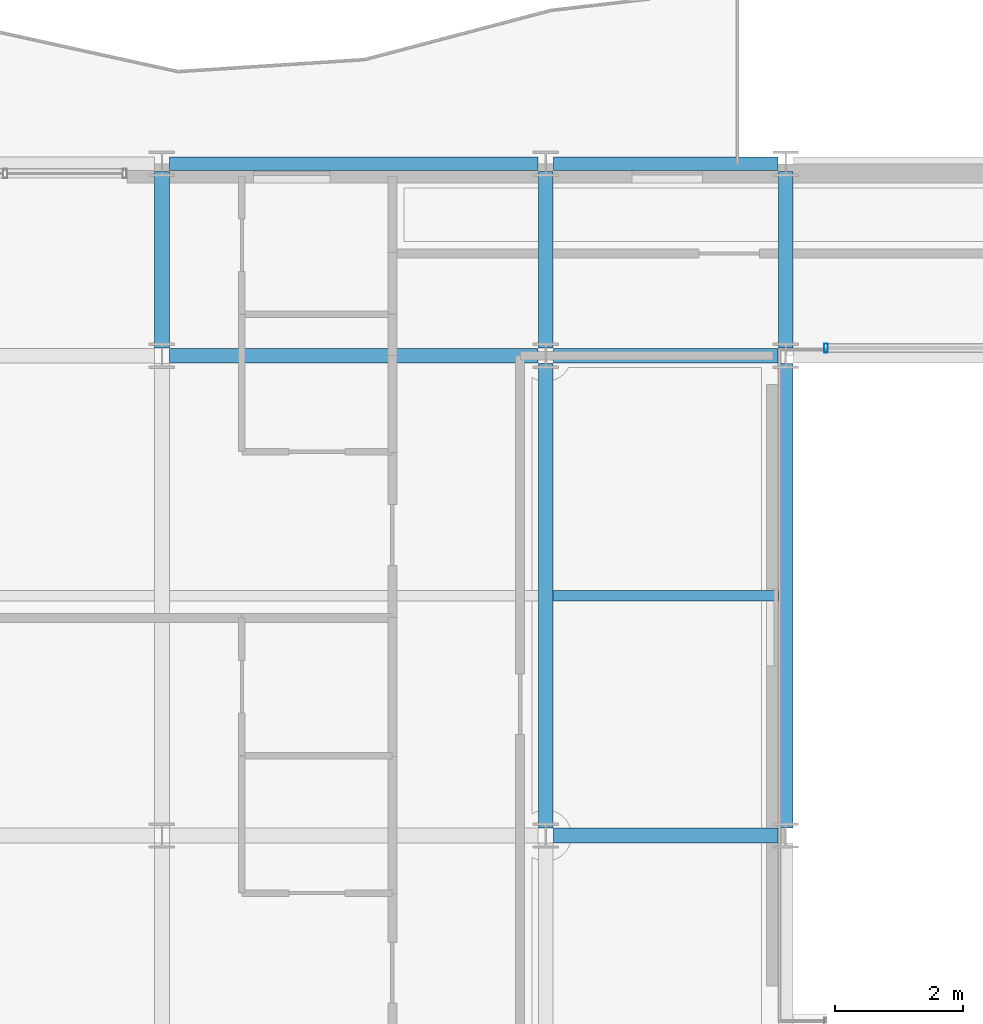
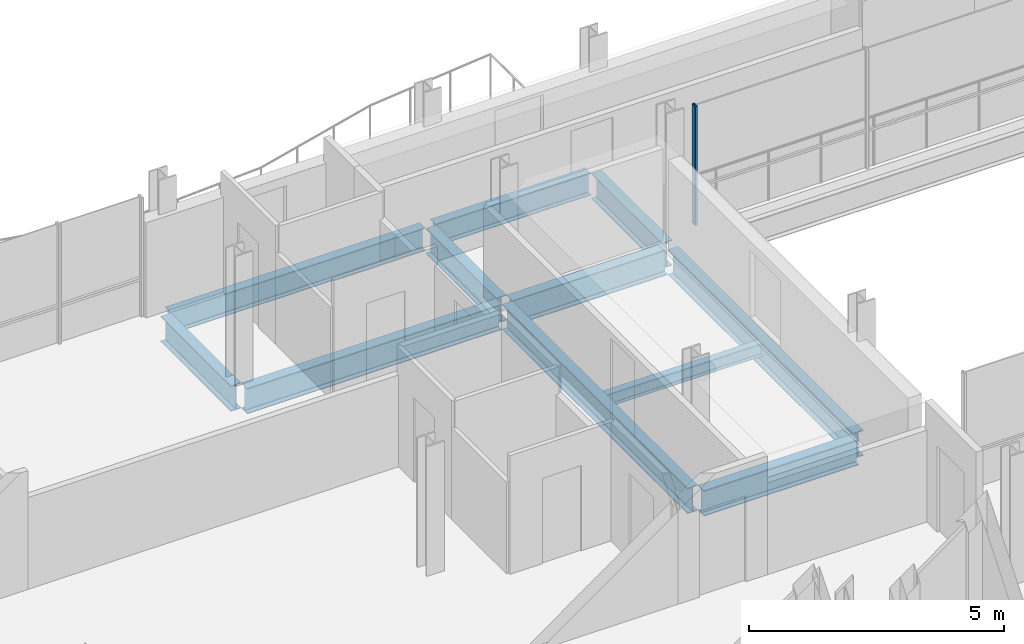
# One storey, part 9 of 36: 11 beams, 1 member, 1 element without a shape of its own.
"""IFC4 building model written with IfcOpenShell, lengths in metres."""

import ifcopenshell
import ifcopenshell.guid

model = None  # the IFC model being written
_history = None  # IfcOwnerHistory: only IFC2X3 demands one
_inside = {}  # id of a spatial element -> (the spatial element, [elements in it])
_under = {}  # id of a project, library or spatial element -> (it, [spatial elements below it])
_declared = {}  # id of a project -> (the project, [libraries it declares])
_typed = {}  # id of a type object -> (the type object, [elements of that type])
_made_of = {}  # id of a material, layer set ... -> (it, [elements and type objects made of it])


def new_model(schema):
    """Start an empty IFC model of exactly this schema.

    Asked for "IFC4X3", IfcOpenShell would pick the latest addendum, in which some entities
    have other attributes; the version numbers below select the first issue.
    IFC2X3 requires an IfcOwnerHistory on every rooted entity: one is made here for all.
    """
    global model, _history
    if schema == "IFC4X3":
        model = ifcopenshell.file(schema_version=(4, 3, 0, 0))
    else:
        model = ifcopenshell.file(schema=schema)
    _inside.clear()
    _under.clear()
    _declared.clear()
    _typed.clear()
    _made_of.clear()
    _history = None
    if model.schema == "IFC2X3":
        org = make("IfcOrganization", Name="unknown")
        user = make(
            "IfcPersonAndOrganization",
            ThePerson=make("IfcPerson", FamilyName="unknown"),
            TheOrganization=org,
        )
        app = make(
            "IfcApplication",
            ApplicationDeveloper=org,
            Version="unknown",
            ApplicationFullName="unknown",
            ApplicationIdentifier="unknown",
        )
        _history = make(
            "IfcOwnerHistory",
            OwningUser=user,
            OwningApplication=app,
            ChangeAction="ADDED",
            CreationDate=0,
        )
    return model


def make(cls, **values):
    """One entity of the class cls with the attributes given. An attribute that is None is left unset."""
    return model.create_entity(
        cls, **{name: value for name, value in values.items() if value is not None}
    )


def rooted(cls, **values):
    """An entity with a GlobalId (a new one), such as an element, a storey or a relation."""
    return make(cls, GlobalId=ifcopenshell.guid.new(), OwnerHistory=_history, **values)


def si_unit(unit_type, name, prefix=None):
    """IfcSIUnit, for example si_unit("LENGTHUNIT", "METRE", prefix="MILLI")."""
    return make("IfcSIUnit", UnitType=unit_type, Prefix=prefix, Name=name)


def assignment(units):
    """IfcUnitAssignment: the units of a project."""
    return None if units is None else make("IfcUnitAssignment", Units=units)


def point(xyz):
    """IfcCartesianPoint."""
    return None if xyz is None else make("IfcCartesianPoint", Coordinates=xyz)


def direction(xyz):
    """IfcDirection."""
    return None if xyz is None else make("IfcDirection", DirectionRatios=xyz)


def frame(location, z_axis=None, x_axis=None):
    """IfcAxis2Placement3D, a coordinate frame: its origin and axes. An axis left out is left unset."""
    return make(
        "IfcAxis2Placement3D",
        Location=point(location),
        Axis=direction(z_axis),
        RefDirection=direction(x_axis),
    )


def frame_2d(location, x_axis=None):
    """IfcAxis2Placement2D, a coordinate frame in the plane: its origin and x axis."""
    return make(
        "IfcAxis2Placement2D", Location=point(location), RefDirection=direction(x_axis)
    )


def origin():
    """The frame at (0, 0, 0) with its axes left unset."""
    return frame((0.0, 0.0, 0.0))


def origin_2d():
    """The frame at (0, 0) in the plane with its x axis left unset."""
    return frame_2d((0.0, 0.0))


def place(relative_to, where):
    """IfcLocalPlacement: puts the frame where relative to a parent placement (None: the world)."""
    return make(
        "IfcLocalPlacement", PlacementRelTo=relative_to, RelativePlacement=where
    )


def context(
    kind, dimensions, precision=None, world=None, true_north=None, identifier=None
):
    """IfcGeometricRepresentationContext, for example the 3D "Model" context."""
    return make(
        "IfcGeometricRepresentationContext",
        ContextIdentifier=identifier,
        ContextType=kind,
        CoordinateSpaceDimension=dimensions,
        Precision=precision,
        WorldCoordinateSystem=world,
        TrueNorth=true_north,
    )


def subcontext(parent, identifier, kind, view, scale=None):
    """IfcGeometricRepresentationSubContext, for example "Body" below "Model"."""
    return make(
        "IfcGeometricRepresentationSubContext",
        ContextIdentifier=identifier,
        ContextType=kind,
        ParentContext=parent,
        TargetScale=scale,
        TargetView=view,
    )


def project(units=None, contexts=None):
    """IfcProject with its units and contexts."""
    return rooted(
        "IfcProject",
        Name="project",
        RepresentationContexts=contexts,
        UnitsInContext=assignment(units),
    )


def spatial(cls, under=None, at=None, **own):
    """A site, building, storey or space (cls), placed at a placement, below another one or the project."""
    s = rooted(cls, ObjectPlacement=at, **own)
    if under is not None:
        _under.setdefault(under.id(), (under, []))[1].append(s)
    return s


def profile(cls, at=None, kind="AREA", **sizes):
    """A parametric profile (cls). Its sizes go by their IFC names, for example OverallWidth=200.0."""
    return make(cls, ProfileType=kind, Position=at, **sizes)


def hollow_rectangle(**sizes):
    """IfcRectangleHollowProfileDef."""
    return profile("IfcRectangleHollowProfileDef", **sizes)


def i_section(**sizes):
    """IfcIShapeProfileDef."""
    return profile("IfcIShapeProfileDef", **sizes)


def extrude(swept, where, along, depth):
    """IfcExtrudedAreaSolid: the profile swept, set in the frame where, extruded along a direction by depth."""
    return make(
        "IfcExtrudedAreaSolid",
        SweptArea=swept,
        Position=where,
        ExtrudedDirection=direction(along),
        Depth=depth,
    )


def shape(context_of_items, identifier, shape_type, items):
    """IfcShapeRepresentation: the items that make up one representation, for example the "Body"."""
    return make(
        "IfcShapeRepresentation",
        ContextOfItems=context_of_items,
        RepresentationIdentifier=identifier,
        RepresentationType=shape_type,
        Items=items,
    )


def material(Name=None, Category=None):
    """IfcMaterial."""
    return make("IfcMaterial", Name=Name, Category=Category)


def layer(
    of_material, thickness, ventilated=None, Name=None, Category=None, Priority=None
):
    """IfcMaterialLayer: one layer of a wall or slab, of a material (None: an air gap)."""
    return make(
        "IfcMaterialLayer",
        Material=of_material,
        LayerThickness=thickness,
        IsVentilated=ventilated,
        Name=Name,
        Category=Category,
        Priority=Priority,
    )


def layer_set(layers, Name=None):
    """IfcMaterialLayerSet."""
    return make("IfcMaterialLayerSet", MaterialLayers=layers, LayerSetName=Name)


def material_profile(
    of_material, cross_section, Name=None, Category=None, Priority=None
):
    """IfcMaterialProfile: a cross section and its material."""
    return make(
        "IfcMaterialProfile",
        Name=Name,
        Material=of_material,
        Profile=cross_section,
        Priority=Priority,
        Category=Category,
    )


def profile_set(profiles, Name=None, composite=None):
    """IfcMaterialProfileSet."""
    return make(
        "IfcMaterialProfileSet",
        Name=Name,
        MaterialProfiles=profiles,
        CompositeProfile=composite,
    )


def made_of(thing, what):
    """Note that an element or type object is made of a material, layer set ...; save() writes the relation."""
    if what is not None:
        _made_of.setdefault(what.id(), (what, []))[1].append(thing)
    return thing


def type_object(cls, material=None, **own):
    """A type object (cls), such as IfcWallType, which elements share."""
    return made_of(rooted(cls, **own), material)


def element(
    cls,
    number,
    at=None,
    inside=None,
    cuts=None,
    type_object=None,
    material=None,
    context=None,
    identifier="Body",
    shape_type=None,
    held_by="IfcProductDefinitionShape",
    body=None,
    shapes=None,
    **own,
):
    """One element of the class cls, such as IfcWall. Its Tag is "e" and its number.

    at: its placement. inside: the storey or other place that contains it. cuts: it is an
    opening in that element (IfcRelVoidsElement). A single representation is given by context,
    identifier, shape_type and body (its items); several are given by shapes. held_by: the class
    of the entity that holds the representations. save() writes the other relations.
    """
    e = rooted(cls, Tag="e%d" % number, ObjectPlacement=at, **own)
    if body is not None:
        shapes = [shape(context, identifier, shape_type, body)]
    if shapes is not None:
        e.Representation = make(held_by, Representations=shapes)
    if inside is not None:
        _inside.setdefault(inside.id(), (inside, []))[1].append(e)
    if cuts is not None:
        rooted(
            "IfcRelVoidsElement", RelatingBuildingElement=cuts, RelatedOpeningElement=e
        )
    if type_object is not None:
        _typed.setdefault(type_object.id(), (type_object, []))[1].append(e)
    return made_of(e, material)


def aggregate(whole, parts):
    """IfcRelAggregates: a whole, such as a stair, and the parts it consists of."""
    return rooted("IfcRelAggregates", RelatingObject=whole, RelatedObjects=parts)


def save(model, path):
    """Write the relations noted so far, then the file.

    IfcRelAggregates (storeys below a building ...), IfcRelContainedInSpatialStructure (elements
    in a storey), IfcRelDefinesByType, IfcRelAssociatesMaterial and IfcRelDeclares: one each for
    every whole, place, type object, material and project.
    """
    for whole, parts in _under.values():
        aggregate(whole, parts)
    for where, things in _inside.values():
        rooted(
            "IfcRelContainedInSpatialStructure",
            RelatedElements=things,
            RelatingStructure=where,
        )
    for kind, things in _typed.values():
        rooted("IfcRelDefinesByType", RelatedObjects=things, RelatingType=kind)
    for what, things in _made_of.values():
        rooted("IfcRelAssociatesMaterial", RelatedObjects=things, RelatingMaterial=what)
    for by, libraries in _declared.values():
        rooted("IfcRelDeclares", RelatingContext=by, RelatedDefinitions=libraries)
    model.write(path)


model = new_model("IFC4")

# Units and contexts
model_context = context("Model", 3, precision=1e-05, world=origin(), true_north=direction((0.0, 1.0)))
body_context = subcontext(model_context, "Body", "Model", "MODEL_VIEW")
ifc_project = project(units=[si_unit("LENGTHUNIT", "METRE"), si_unit("AREAUNIT", "SQUARE_METRE"), si_unit("VOLUMEUNIT", "CUBIC_METRE"), si_unit("PLANEANGLEUNIT", "RADIAN"), si_unit("MASSUNIT", "GRAM", prefix="KILO")], contexts=[model_context])

# Site, building, storey
site_placement = place(None, origin())
site = spatial("IfcSite", under=ifc_project, at=site_placement, CompositionType="ELEMENT")
building_placement = place(site_placement, origin())
building = spatial("IfcBuilding", under=site, at=building_placement, Name="Brevholm Reach", CompositionType="ELEMENT")
storey_placement = place(building_placement, frame((0.0, 0.0, 175.89990234375)))
storey = spatial("IfcBuildingStorey", under=building, at=storey_placement, Name="L53", CompositionType="ELEMENT", Elevation=175.89990234375)

# Beams
ifc_material_1 = material(Name="Structural Steel S355J2", Category="steel")
ifc_material_profile_1 = material_profile(ifc_material_1, i_section(OverallWidth=0.1650390625, OverallDepth=0.303466796875, WebThickness=0.006103515625, FlangeThickness=0.01025390625, FilletRadius=0.0087890625, at=origin_2d()), Name="UKB 305x165x40")
ifc_profile_set_1 = profile_set([ifc_material_profile_1], Name="Structural Steel S355J2")
beam_type_1 = type_object("IfcBeamType", Name="BM-B305", PredefinedType="BEAM", material=ifc_profile_set_1)
beam_1_placement = place(storey_placement, frame((18.114501953125, 19.75, -0.361572265625), z_axis=(1.0, 0.0, 0.0), x_axis=(0.0, 1.0, 0.0)))
element("IfcBeam", 1, at=beam_1_placement, inside=storey, type_object=beam_type_1, Name="L53 Composite Secondary Floor Beam", PredefinedType="BEAM", context=body_context, shape_type="SweptSolid", body=[
    extrude(i_section(OverallWidth=0.1650390625, OverallDepth=0.303466796875, WebThickness=0.006103515625, FlangeThickness=0.01025390625, FilletRadius=0.0087890625, at=origin_2d()), origin(), (0.0, 0.0, 1.0), 3.52099609375),
])
ifc_material_2 = material(Name="Structural Steel S355J2", Category="steel")
ifc_material_profile_2 = material_profile(ifc_material_2, i_section(OverallWidth=0.209228515625, OverallDepth=0.533203125, WebThickness=0.010009765625, FlangeThickness=0.015625, FilletRadius=0.0126953125, at=origin_2d()), Name="UKB 533x210x92")
ifc_profile_set_2 = profile_set([ifc_material_profile_2], Name="Structural Steel S355J2")
beam_type_2 = type_object("IfcBeamType", Name="BM-SP533", PredefinedType="SPANDREL", material=ifc_profile_set_2)
beam_2_placement = place(storey_placement, frame((12.1201171875, 26.5, -0.4765625), z_axis=(1.0, 0.0, 0.0), x_axis=(0.0, 1.0, 0.0)))
element("IfcBeam", 2, at=beam_2_placement, inside=storey, type_object=beam_type_2, Name="L53 SP-02 Framing Beam", PredefinedType="SPANDREL", context=body_context, shape_type="SweptSolid", body=[
    extrude(i_section(OverallWidth=0.209228515625, OverallDepth=0.533203125, WebThickness=0.010009765625, FlangeThickness=0.015625, FilletRadius=0.0126953125, at=origin_2d()), origin(), (0.0, 0.0, 1.0), 5.759765625),
])
beam_3_placement = place(storey_placement, frame((18.1201171875, 26.5, -0.4765625), z_axis=(1.0, 0.0, 0.0), x_axis=(0.0, 1.0, 0.0)))
element("IfcBeam", 3, at=beam_3_placement, inside=storey, type_object=beam_type_2, Name="L53 SP-02 Framing Beam", PredefinedType="SPANDREL", context=body_context, shape_type="SweptSolid", body=[
    extrude(i_section(OverallWidth=0.209228515625, OverallDepth=0.533203125, WebThickness=0.010009765625, FlangeThickness=0.015625, FilletRadius=0.0126953125, at=origin_2d()), origin(), (0.0, 0.0, 1.0), 3.509765625),
])
ifc_material_3 = material(Name="Structural Steel S355J2", Category="steel")
ifc_material_profile_3 = material_profile(ifc_material_3, i_section(OverallWidth=0.22900390625, OverallDepth=0.6123046875, WebThickness=0.011962890625, FlangeThickness=0.01953125, FilletRadius=0.0126953125, at=origin_2d()), Name="UKB 610x229x125")
ifc_profile_set_3 = profile_set([ifc_material_profile_3], Name="Structural Steel S355J2")
beam_type_3 = type_object("IfcBeamType", Name="BM-SP610", PredefinedType="SPANDREL", material=ifc_profile_set_3)
beam_4_placement = place(storey_placement, frame((18.1201171875, 16.0, -0.51611328125), z_axis=(1.0, 0.0, 0.0), x_axis=(0.0, 1.0, 0.0)))
element("IfcBeam", 4, at=beam_4_placement, inside=storey, type_object=beam_type_3, Name="L53 SP-01 Framing Beam", PredefinedType="SPANDREL", context=body_context, shape_type="SweptSolid", body=[
    extrude(i_section(OverallWidth=0.22900390625, OverallDepth=0.6123046875, WebThickness=0.011962890625, FlangeThickness=0.01953125, FilletRadius=0.0126953125, at=origin_2d()), origin(), (0.0, 0.0, 1.0), 3.509765625),
])
beam_5_placement = place(storey_placement, frame((12.1201171875, 23.5, -0.51611328125), z_axis=(1.0, 0.0, 0.0), x_axis=(0.0, 1.0, 0.0)))
element("IfcBeam", 5, at=beam_5_placement, inside=storey, type_object=beam_type_3, Name="L53 SP-01 Framing Beam", PredefinedType="SPANDREL", context=body_context, shape_type="SweptSolid", body=[
    extrude(i_section(OverallWidth=0.22900390625, OverallDepth=0.6123046875, WebThickness=0.011962890625, FlangeThickness=0.01953125, FilletRadius=0.0126953125, at=origin_2d()), origin(), (0.0, 0.0, 1.0), 5.759765625),
])
beam_6_placement = place(storey_placement, frame((18.1201171875, 23.5, -0.51611328125), z_axis=(1.0, 0.0, 0.0), x_axis=(0.0, 1.0, 0.0)))
element("IfcBeam", 6, at=beam_6_placement, inside=storey, type_object=beam_type_3, Name="L53 SP-01 Framing Beam", PredefinedType="SPANDREL", context=body_context, shape_type="SweptSolid", body=[
    extrude(i_section(OverallWidth=0.22900390625, OverallDepth=0.6123046875, WebThickness=0.011962890625, FlangeThickness=0.01953125, FilletRadius=0.0126953125, at=origin_2d()), origin(), (0.0, 0.0, 1.0), 3.509765625),
])
beam_7_placement = place(storey_placement, frame((12.0, 23.6201171875, -0.51611328125), z_axis=(0.0, 1.0, 0.0), x_axis=(-1.0, 0.0, 0.0)))
element("IfcBeam", 7, at=beam_7_placement, inside=storey, type_object=beam_type_3, Name="L53 SP-01 Framing Beam", PredefinedType="SPANDREL", context=body_context, shape_type="SweptSolid", body=[
    extrude(i_section(OverallWidth=0.22900390625, OverallDepth=0.6123046875, WebThickness=0.011962890625, FlangeThickness=0.01953125, FilletRadius=0.0126953125, at=origin_2d()), origin(), (0.0, 0.0, 1.0), 2.759765625),
])
beam_8_placement = place(storey_placement, frame((18.0, 16.1201171875, -0.51611328125), z_axis=(0.0, 1.0, 0.0), x_axis=(-1.0, 0.0, 0.0)))
element("IfcBeam", 8, at=beam_8_placement, inside=storey, type_object=beam_type_3, Name="L53 SP-01 Framing Beam", PredefinedType="SPANDREL", context=body_context, shape_type="SweptSolid", body=[
    extrude(i_section(OverallWidth=0.22900390625, OverallDepth=0.6123046875, WebThickness=0.011962890625, FlangeThickness=0.01953125, FilletRadius=0.0126953125, at=origin_2d()), origin(), (0.0, 0.0, 1.0), 7.259765625),
])
beam_9_placement = place(storey_placement, frame((18.0, 23.6201171875, -0.51611328125), z_axis=(0.0, 1.0, 0.0), x_axis=(-1.0, 0.0, 0.0)))
element("IfcBeam", 9, at=beam_9_placement, inside=storey, type_object=beam_type_3, Name="L53 SP-01 Framing Beam", PredefinedType="SPANDREL", context=body_context, shape_type="SweptSolid", body=[
    extrude(i_section(OverallWidth=0.22900390625, OverallDepth=0.6123046875, WebThickness=0.011962890625, FlangeThickness=0.01953125, FilletRadius=0.0126953125, at=origin_2d()), origin(), (0.0, 0.0, 1.0), 2.759765625),
])
beam_10_placement = place(storey_placement, frame((21.75, 16.1201171875, -0.51611328125), z_axis=(0.0, 1.0, 0.0), x_axis=(-1.0, 0.0, 0.0)))
element("IfcBeam", 10, at=beam_10_placement, inside=storey, type_object=beam_type_3, Name="L53 SP-01 Framing Beam", PredefinedType="SPANDREL", context=body_context, shape_type="SweptSolid", body=[
    extrude(i_section(OverallWidth=0.22900390625, OverallDepth=0.6123046875, WebThickness=0.011962890625, FlangeThickness=0.01953125, FilletRadius=0.0126953125, at=origin_2d()), origin(), (0.0, 0.0, 1.0), 7.259765625),
])
beam_11_placement = place(storey_placement, frame((21.75, 23.6201171875, -0.51611328125), z_axis=(0.0, 1.0, 0.0), x_axis=(-1.0, 0.0, 0.0)))
element("IfcBeam", 11, at=beam_11_placement, inside=storey, type_object=beam_type_3, Name="L53 SP-01 Framing Beam", PredefinedType="SPANDREL", context=body_context, shape_type="SweptSolid", body=[
    extrude(i_section(OverallWidth=0.22900390625, OverallDepth=0.6123046875, WebThickness=0.011962890625, FlangeThickness=0.01953125, FilletRadius=0.0126953125, at=origin_2d()), origin(), (0.0, 0.0, 1.0), 2.759765625),
])

# Curtain wall, member
ifc_material_4 = material(Name="Dark Anodised Aluminium 6063-T6 and Solar-Control Glass", Category="aluminium")
ifc_layer = layer(ifc_material_4, 0.139892578125)
ifc_layer_set = layer_set([ifc_layer], Name="Dark Anodised Aluminium 6063-T6 and Solar-Control Glass")
curtain_wall_type = type_object("IfcCurtainWallType", Name="CW-02", PredefinedType="NOTDEFINED", material=ifc_layer_set)
curtain_wall_placement = place(storey_placement, origin())
curtain_wall = element("IfcCurtainWall", 12, at=curtain_wall_placement, inside=storey, type_object=curtain_wall_type, Name="L53 Curtain Wall CW-02", PredefinedType="NOTDEFINED")
ifc_material_5 = material(Name="Dark Anodised Aluminium 6063-T6", Category="aluminium")
ifc_material_profile_4 = material_profile(ifc_material_5, hollow_rectangle(XDim=0.06005859375, YDim=0.139892578125, WallThickness=0.0048828125, InnerFilletRadius=0.0048828125, OuterFilletRadius=0.010009765625, at=origin_2d()), Name="RHS 140x60x5")
ifc_profile_set_4 = profile_set([ifc_material_profile_4], Name="Dark Anodised Aluminium 6063-T6")
member_type = type_object("IfcMemberType", Name="CWM-140", PredefinedType="MULLION", material=ifc_profile_set_4)
member_placement = place(storey_placement, frame((22.3798828125, 23.6201171875, 0.0), z_axis=(0.0, 0.0, 1.0), x_axis=(-1.0, 0.0, 0.0)))
member = element("IfcMember", 13, at=member_placement, type_object=member_type, Name="CM-140 Mullion 5", PredefinedType="MULLION", context=body_context, shape_type="SweptSolid", body=[
    extrude(hollow_rectangle(XDim=0.06005859375, YDim=0.139892578125, WallThickness=0.0048828125, InnerFilletRadius=0.0048828125, OuterFilletRadius=0.010009765625, at=origin_2d()), origin(), (0.0, 0.0, 1.0), 2.840087890625),
])
aggregate(curtain_wall, [member])

save(model, "model.ifc")
